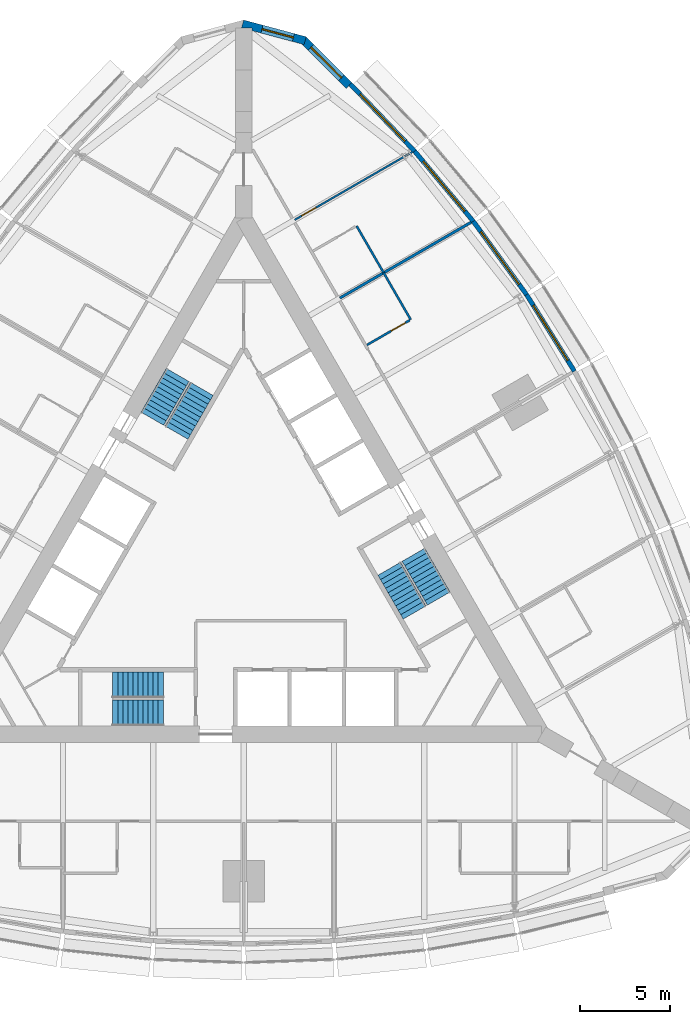
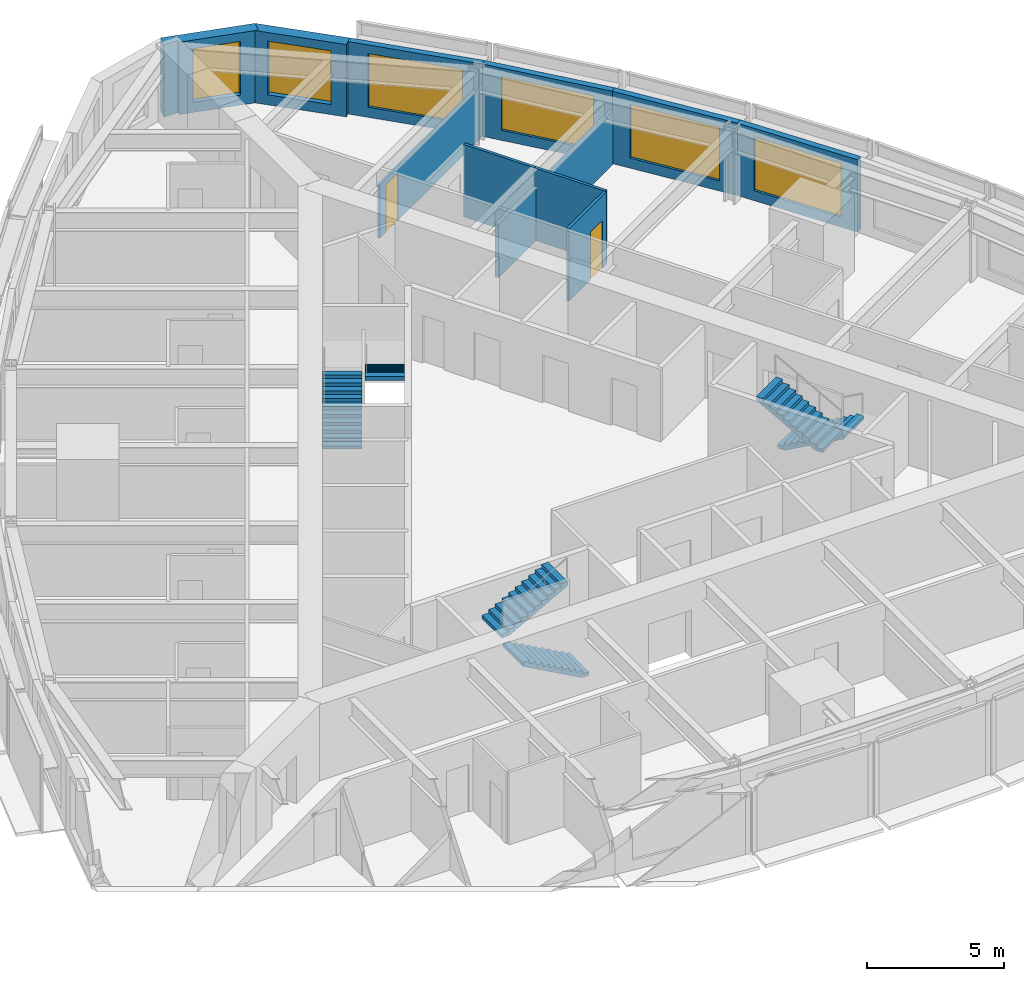
# One storey, part 13 of 14: 11 walls, 6 stair flights, 6 windows, 2 doors, 8 openings, 3 elements without a shape of their own.
"""IFC4 building model written with IfcOpenShell, lengths in metres."""

from ifc_helpers import new_model, si_unit, direction, frame, frame_2d, origin, place, context, subcontext, project, spatial, polyline, rectangle, outline, extrude, material, layer, layer_set, type_object, element, fill, aggregate, save


model = new_model("IFC4")

# Units and contexts
model_context = context("Model", 3, precision=1e-05, world=origin(), true_north=direction((0.0, 1.0)))
body_context = subcontext(model_context, "Body", "Model", "MODEL_VIEW")
ifc_project = project(units=[si_unit("LENGTHUNIT", "METRE"), si_unit("AREAUNIT", "SQUARE_METRE"), si_unit("VOLUMEUNIT", "CUBIC_METRE"), si_unit("PLANEANGLEUNIT", "RADIAN"), si_unit("MASSUNIT", "GRAM", prefix="KILO")], contexts=[model_context])

# Site, building, storey
site_placement = place(None, origin())
site = spatial("IfcSite", under=ifc_project, at=site_placement, CompositionType="ELEMENT")
building_placement = place(site_placement, origin())
building = spatial("IfcBuilding", under=site, at=building_placement, Name="Trikona Tower", CompositionType="ELEMENT")
storey_placement = place(building_placement, frame((0.0, 0.0, 175.89990234375)))
storey = spatial("IfcBuildingStorey", under=building, at=storey_placement, Name="L47", CompositionType="ELEMENT", Elevation=175.89990234375)

# Wall
ifc_material_1 = material(Name="Metal stud and cement board", Category="gypsum")
ifc_layer_1 = layer(ifc_material_1, 0.1201171875)
ifc_layer_set_1 = layer_set([ifc_layer_1], Name="Bathroom wall 120")
wall_type_1 = type_object("IfcWallType", Name="Bathroom wall 120", PredefinedType="PLUMBINGWALL", material=ifc_layer_set_1)
wall_1_placement = place(storey_placement, frame((9.25341796875, 13.42529296875, 0.0), z_axis=(0.0, 0.0, 1.0), x_axis=(-0.499990139034, 0.866031096941, 0.0)))
element("IfcWall", 1, at=wall_1_placement, inside=storey, type_object=wall_type_1, Name="Bathroom wall 4708", PredefinedType="PLUMBINGWALL", context=body_context, shape_type="SweptSolid", body=[
    extrude(rectangle(XDim=3.0, YDim=0.1201171875, at=frame_2d((1.5, 0.0))), origin(), (0.0, 0.0, 1.0), 3.235107421875),
])

# Wall, opening, door
wall_2_placement = place(storey_placement, frame((6.82861328125, 12.025390625, 0.0), z_axis=(0.0, 0.0, 1.0), x_axis=(0.866035715982, 0.499982138324, 0.0)))
wall_2 = element("IfcWall", 2, at=wall_2_placement, inside=storey, type_object=wall_type_1, Name="Bathroom wall 4708", PredefinedType="PLUMBINGWALL", context=body_context, shape_type="SweptSolid", body=[
    extrude(rectangle(XDim=2.73974609375, YDim=0.1201171875, at=frame_2d((1.369873046875, 0.0))), origin(), (0.0, 0.0, 1.0), 3.235107421875),
])
opening_1_placement = place(wall_2_placement, frame((1.550048828125, 0.0, 0.0)))
opening_1 = element("IfcOpeningElement", 3, at=opening_1_placement, cuts=wall_2, Name="Opening D2", PredefinedType="OPENING", context=body_context, shape_type="SweptSolid", body=[
    extrude(rectangle(XDim=0.89990234375, YDim=2.1298828125, at=frame_2d((0.449951171875, 1.06494140625))), frame((0.0, 0.070068359375, 0.0), z_axis=(0.0, -1.0, 0.0), x_axis=(1.0, 0.0, 0.0)), (0.0, 0.0, 1.0), 0.14013671875),
])
ifc_material_2 = material(Name="Steel door frame with solid-core timber leaf", Category="steel")
door_type_1 = type_object("IfcDoorType", Name="Bathroom door 900x2130", OperationType="SLIDING_TO_LEFT", PredefinedType="DOOR", material=ifc_material_2)
door_1_placement = place(opening_1_placement, origin())
door_1 = element("IfcDoor", 4, at=door_1_placement, inside=storey, type_object=door_type_1, Name="Bathroom door 4708", OperationType="SLIDING_TO_LEFT", OverallHeight=2.1298828125, OverallWidth=0.89990234375, PredefinedType="DOOR", context=body_context, shape_type="SweptSolid", body=[
    extrude(rectangle(XDim=0.89990234375, YDim=2.1298828125, at=frame_2d((0.449951171875, 1.06494140625))), frame((0.0, 0.02490234375, 0.0), z_axis=(0.0, -1.0, 0.0), x_axis=(1.0, 0.0, 0.0)), (0.0, 0.0, 1.0), 0.050048828125),
])
fill(opening_1, door_1)

# Wall
wall_3_placement = place(storey_placement, frame((7.75341796875, 16.0234375, 0.0), z_axis=(0.0, 0.0, 1.0), x_axis=(-0.499990139034, 0.866031096941, 0.0)))
element("IfcWall", 5, at=wall_3_placement, inside=storey, type_object=wall_type_1, Name="Bathroom wall 4709.1", PredefinedType="PLUMBINGWALL", context=body_context, shape_type="SweptSolid", body=[
    extrude(rectangle(XDim=3.0, YDim=0.1201171875, at=frame_2d((1.5, 0.0))), origin(), (0.0, 0.0, 1.0), 3.235107421875),
])

# Wall, opening, window
ifc_material_3 = material(Name="Brick-faced precast concrete", Category="masonry")
ifc_layer_2 = layer(ifc_material_3, 0.449951171875)
ifc_layer_set_2 = layer_set([ifc_layer_2], Name="Brick-faced corner wall 450")
wall_type_2 = type_object("IfcWallType", Name="Brick-faced corner wall 450", PredefinedType="SOLIDWALL", material=ifc_layer_set_2)
wall_4_placement = place(storey_placement, frame((5.8408203125, 26.39892578125, 0.0), z_axis=(0.0, 0.0, 1.0), x_axis=(-0.707106781187, 0.707106781187, 0.0)))
wall_4 = element("IfcWall", 6, at=wall_4_placement, inside=storey, type_object=wall_type_2, Name="External wall L47-20", PredefinedType="SOLIDWALL", context=body_context, shape_type="SweptSolid", body=[
    extrude(rectangle(XDim=3.586181640625, YDim=0.449951171875, at=frame_2d((1.79296875, 0.0))), origin(), (0.0, 0.0, 1.0), 3.235107421875),
])
opening_2_placement = place(wall_4_placement, frame((0.59326171875, 0.0, 0.449951171875)))
opening_2 = element("IfcOpeningElement", 7, at=opening_2_placement, cuts=wall_4, Name="Opening W2424", PredefinedType="OPENING", context=body_context, shape_type="SweptSolid", body=[
    extrude(rectangle(XDim=2.39990234375, YDim=2.39990234375, at=frame_2d((1.199951171875, 1.199951171875))), frame((0.0, 0.23486328125, 0.0), z_axis=(0.0, -1.0, 0.0), x_axis=(1.0, 0.0, 0.0)), (0.0, 0.0, 1.0), 0.469970703125),
])
ifc_material_4 = material(Name="Aluminium-framed double glazing", Category="aluminium")
window_type_1 = type_object("IfcWindowType", Name="Window 2400x2400", PartitioningType="SINGLE_PANEL", PredefinedType="WINDOW", material=ifc_material_4)
window_1_placement = place(opening_2_placement, origin())
window_1 = element("IfcWindow", 8, at=window_1_placement, inside=storey, type_object=window_type_1, Name="Window 4709", OverallHeight=2.39990234375, OverallWidth=2.39990234375, PartitioningType="SINGLE_PANEL", PredefinedType="WINDOW", context=body_context, shape_type="SweptSolid", body=[
    extrude(rectangle(XDim=2.39990234375, YDim=2.39990234375, at=frame_2d((1.199951171875, 1.199951171875))), frame((0.0, 0.030029296875, 0.0), z_axis=(0.0, -1.0, 0.0), x_axis=(1.0, 0.0, 0.0)), (0.0, 0.0, 1.0), 0.06005859375),
])
fill(opening_2, window_1)

wall_5_placement = place(storey_placement, frame((3.406005859375, 28.876708984375, 0.0), z_axis=(0.0, 0.0, 1.0), x_axis=(-0.965924653531, 0.258823421857, 0.0)))
wall_5 = element("IfcWall", 9, at=wall_5_placement, inside=storey, type_object=wall_type_2, Name="External wall L47-21", PredefinedType="SOLIDWALL", context=body_context, shape_type="SweptSolid", body=[
    extrude(outline(polyline([(3.58642578125, 0.22509765625), (3.526611328125, 0.22509765625), (3.035400390625, 0.09326171875), (3.0, 0.22509765625), (0.0, 0.22509765625), (0.0, -0.22509765625), (3.58642578125, -0.22509765625), (3.58642578125, 0.22509765625)])), origin(), (0.0, 0.0, 1.0), 3.235107421875),
])
opening_3_placement = place(wall_5_placement, frame((0.6748046875, 0.0, 0.449951171875)))
opening_3 = element("IfcOpeningElement", 10, at=opening_3_placement, cuts=wall_5, Name="Opening W1824", PredefinedType="OPENING", context=body_context, shape_type="SweptSolid", body=[
    extrude(rectangle(XDim=1.800048828125, YDim=2.39990234375, at=frame_2d((0.89990234375, 1.199951171875))), frame((0.0, 0.23486328125, 0.0), z_axis=(0.0, -1.0, 0.0), x_axis=(1.0, 0.0, 0.0)), (0.0, 0.0, 1.0), 0.469970703125),
])
ifc_material_5 = material(Name="Aluminium-framed double glazing", Category="aluminium")
window_type_2 = type_object("IfcWindowType", Name="Window 1800x2400", PartitioningType="SINGLE_PANEL", PredefinedType="WINDOW", material=ifc_material_5)
window_2_placement = place(opening_3_placement, origin())
window_2 = element("IfcWindow", 11, at=window_2_placement, inside=storey, type_object=window_type_2, Name="Window 4709", OverallHeight=2.39990234375, OverallWidth=1.800048828125, PartitioningType="SINGLE_PANEL", PredefinedType="WINDOW", context=body_context, shape_type="SweptSolid", body=[
    extrude(rectangle(XDim=1.800048828125, YDim=2.39990234375, at=frame_2d((0.89990234375, 1.199951171875))), frame((0.0, 0.030029296875, 0.0), z_axis=(0.0, -1.0, 0.0), x_axis=(1.0, 0.0, 0.0)), (0.0, 0.0, 1.0), 0.06005859375),
])
fill(opening_3, window_2)

ifc_material_6 = material(Name="Insulated precast concrete spandrel panel", Category="concrete")
ifc_layer_3 = layer(ifc_material_6, 0.25)
ifc_layer_set_3 = layer_set([ifc_layer_3], Name="Inner skin wall 250")
wall_type_3 = type_object("IfcWallType", Name="Inner skin wall 250", PredefinedType="STANDARD", material=ifc_layer_set_3)
wall_6_placement = place(storey_placement, frame((18.31884765625, 10.5712890625, 0.0), z_axis=(0.0, 0.0, 1.0), x_axis=(-0.529990167382, 0.84800378683, 0.0)))
wall_6 = element("IfcWall", 12, at=wall_6_placement, inside=storey, type_object=wall_type_3, Name="External wall L47-16", PredefinedType="STANDARD", context=body_context, shape_type="SweptSolid", body=[
    extrude(rectangle(XDim=5.003173828125, YDim=0.25, at=frame_2d((2.50146484375, 0.0))), origin(), (0.0, 0.0, 1.0), 3.235107421875),
])
opening_4_placement = place(wall_6_placement, frame((0.701416015625, 0.0, 0.449951171875)))
opening_4 = element("IfcOpeningElement", 13, at=opening_4_placement, cuts=wall_6, Name="Opening W3624", PredefinedType="OPENING", context=body_context, shape_type="SweptSolid", body=[
    extrude(rectangle(XDim=3.60009765625, YDim=2.39990234375, at=frame_2d((1.800048828125, 1.199951171875))), frame((0.0, 0.135009765625, 0.0), z_axis=(0.0, -1.0, 0.0), x_axis=(1.0, 0.0, 0.0)), (0.0, 0.0, 1.0), 0.27001953125),
])
ifc_material_7 = material(Name="Aluminium-framed double glazing", Category="aluminium")
window_type_3 = type_object("IfcWindowType", Name="Window 3600x2400", PartitioningType="SINGLE_PANEL", PredefinedType="WINDOW", material=ifc_material_7)
window_3_placement = place(opening_4_placement, origin())
window_3 = element("IfcWindow", 14, at=window_3_placement, inside=storey, type_object=window_type_3, Name="Window 4708", OverallHeight=2.39990234375, OverallWidth=3.60009765625, PartitioningType="SINGLE_PANEL", PredefinedType="WINDOW", context=body_context, shape_type="SweptSolid", body=[
    extrude(rectangle(XDim=3.60009765625, YDim=2.39990234375, at=frame_2d((1.800048828125, 1.199951171875))), frame((0.0, 0.030029296875, 0.0), z_axis=(0.0, -1.0, 0.0), x_axis=(1.0, 0.0, 0.0)), (0.0, 0.0, 1.0), 0.06005859375),
])
fill(opening_4, window_3)

wall_7_placement = place(storey_placement, frame((15.672119140625, 14.806640625, 0.0), z_axis=(0.0, 0.0, 1.0), x_axis=(-0.587669188412, 0.809101307001, 0.0)))
wall_7 = element("IfcWall", 15, at=wall_7_placement, inside=storey, type_object=wall_type_3, Name="External wall L47-17", PredefinedType="STANDARD", context=body_context, shape_type="SweptSolid", body=[
    extrude(rectangle(XDim=5.027587890625, YDim=0.25, at=frame_2d((2.513671875, 0.0))), origin(), (0.0, 0.0, 1.0), 3.235107421875),
])
opening_5_placement = place(wall_7_placement, frame((0.7138671875, 0.0, 0.449951171875)))
opening_5 = element("IfcOpeningElement", 16, at=opening_5_placement, cuts=wall_7, Name="Opening W3624", PredefinedType="OPENING", context=body_context, shape_type="SweptSolid", body=[
    extrude(rectangle(XDim=3.60009765625, YDim=2.39990234375, at=frame_2d((1.800048828125, 1.199951171875))), frame((0.0, 0.135009765625, 0.0), z_axis=(0.0, -1.0, 0.0), x_axis=(1.0, 0.0, 0.0)), (0.0, 0.0, 1.0), 0.27001953125),
])
window_4_placement = place(opening_5_placement, origin())
window_4 = element("IfcWindow", 17, at=window_4_placement, inside=storey, type_object=window_type_3, Name="Window 4708", OverallHeight=2.39990234375, OverallWidth=3.60009765625, PartitioningType="SINGLE_PANEL", PredefinedType="WINDOW", context=body_context, shape_type="SweptSolid", body=[
    extrude(rectangle(XDim=3.60009765625, YDim=2.39990234375, at=frame_2d((1.800048828125, 1.199951171875))), frame((0.0, 0.030029296875, 0.0), z_axis=(0.0, -1.0, 0.0), x_axis=(1.0, 0.0, 0.0)), (0.0, 0.0, 1.0), 0.06005859375),
])
fill(opening_5, window_4)

wall_8_placement = place(storey_placement, frame((12.722900390625, 18.86767578125, 0.0), z_axis=(0.0, 0.0, 1.0), x_axis=(-0.641810386606, 0.766863369607, 0.0)))
wall_8 = element("IfcWall", 18, at=wall_8_placement, inside=storey, type_object=wall_type_3, Name="External wall L47-18", PredefinedType="STANDARD", context=body_context, shape_type="SweptSolid", body=[
    extrude(rectangle(XDim=5.075927734375, YDim=0.25, at=frame_2d((2.5380859375, 0.0))), origin(), (0.0, 0.0, 1.0), 3.235107421875),
])
opening_6_placement = place(wall_8_placement, frame((0.738037109375, 0.0, 0.449951171875)))
opening_6 = element("IfcOpeningElement", 19, at=opening_6_placement, cuts=wall_8, Name="Opening W3624", PredefinedType="OPENING", context=body_context, shape_type="SweptSolid", body=[
    extrude(rectangle(XDim=3.60009765625, YDim=2.39990234375, at=frame_2d((1.800048828125, 1.199951171875))), frame((0.0, 0.135009765625, 0.0), z_axis=(0.0, -1.0, 0.0), x_axis=(1.0, 0.0, 0.0)), (0.0, 0.0, 1.0), 0.27001953125),
])
window_5_placement = place(opening_6_placement, origin())
window_5 = element("IfcWindow", 20, at=window_5_placement, inside=storey, type_object=window_type_3, Name="Window 4709.1", OverallHeight=2.39990234375, OverallWidth=3.60009765625, PartitioningType="SINGLE_PANEL", PredefinedType="WINDOW", context=body_context, shape_type="SweptSolid", body=[
    extrude(rectangle(XDim=3.60009765625, YDim=2.39990234375, at=frame_2d((1.800048828125, 1.199951171875))), frame((0.0, 0.030029296875, 0.0), z_axis=(0.0, -1.0, 0.0), x_axis=(1.0, 0.0, 0.0)), (0.0, 0.0, 1.0), 0.06005859375),
])
fill(opening_6, window_5)

wall_9_placement = place(storey_placement, frame((9.470703125, 22.75390625, 0.0), z_axis=(0.0, 0.0, 1.0), x_axis=(-0.691719937936, 0.722165858693, 0.0)))
wall_9 = element("IfcWall", 21, at=wall_9_placement, inside=storey, type_object=wall_type_3, Name="External wall L47-19", PredefinedType="STANDARD", context=body_context, shape_type="SweptSolid", body=[
    extrude(rectangle(XDim=5.148193359375, YDim=0.25, at=frame_2d((2.57421875, 0.0))), origin(), (0.0, 0.0, 1.0), 3.235107421875),
])
opening_7_placement = place(wall_9_placement, frame((0.77392578125, 0.0, 0.449951171875)))
opening_7 = element("IfcOpeningElement", 22, at=opening_7_placement, cuts=wall_9, Name="Opening W3624", PredefinedType="OPENING", context=body_context, shape_type="SweptSolid", body=[
    extrude(rectangle(XDim=3.60009765625, YDim=2.39990234375, at=frame_2d((1.800048828125, 1.199951171875))), frame((0.0, 0.135009765625, 0.0), z_axis=(0.0, -1.0, 0.0), x_axis=(1.0, 0.0, 0.0)), (0.0, 0.0, 1.0), 0.27001953125),
])
window_6_placement = place(opening_7_placement, origin())
window_6 = element("IfcWindow", 23, at=window_6_placement, inside=storey, type_object=window_type_3, Name="Window 4709", OverallHeight=2.39990234375, OverallWidth=3.60009765625, PartitioningType="SINGLE_PANEL", PredefinedType="WINDOW", context=body_context, shape_type="SweptSolid", body=[
    extrude(rectangle(XDim=3.60009765625, YDim=2.39990234375, at=frame_2d((1.800048828125, 1.199951171875))), frame((0.0, 0.030029296875, 0.0), z_axis=(0.0, -1.0, 0.0), x_axis=(1.0, 0.0, 0.0)), (0.0, 0.0, 1.0), 0.06005859375),
])
fill(opening_7, window_6)

# Wall
ifc_material_8 = material(Name="Metal stud and gypsum board, 1-hour acoustic", Category="gypsum")
ifc_layer_4 = layer(ifc_material_8, 0.14990234375)
ifc_layer_set_4 = layer_set([ifc_layer_4], Name="Party wall 150")
wall_type_4 = type_object("IfcWallType", Name="Party wall 150", PredefinedType="PARTITIONING", material=ifc_layer_set_4)
wall_10_placement = place(storey_placement, frame((5.32861328125, 14.623291015625, 0.0), z_axis=(0.0, 0.0, 1.0), x_axis=(0.866011723728, 0.500023693804, 0.0)))
element("IfcWall", 24, at=wall_10_placement, inside=storey, type_object=wall_type_4, Name="Partition L47 F2 u10", PredefinedType="PARTITIONING", context=body_context, shape_type="SweptSolid", body=[
    extrude(rectangle(XDim=8.39501953125, YDim=0.14990234375, at=frame_2d((4.197509765625, 0.0))), origin(), (0.0, 0.0, 1.0), 2.389404296875),
])

# Wall, opening, door
ifc_material_9 = material(Name="Metal stud and gypsum board, acoustic", Category="gypsum")
ifc_layer_5 = layer(ifc_material_9, 0.10009765625)
ifc_layer_set_5 = layer_set([ifc_layer_5], Name="Suite partition 100")
wall_type_5 = type_object("IfcWallType", Name="Suite partition 100", PredefinedType="PARTITIONING", material=ifc_layer_set_5)
wall_11_placement = place(storey_placement, frame((2.82861328125, 18.95361328125, 0.0), z_axis=(0.0, 0.0, 1.0), x_axis=(0.866015739374, 0.500016738876, 0.0)))
wall_11 = element("IfcWall", 25, at=wall_11_placement, inside=storey, type_object=wall_type_5, Name="Suite partition L47 F2 u15", PredefinedType="PARTITIONING", context=body_context, shape_type="SweptSolid", body=[
    extrude(rectangle(XDim=7.516357421875, YDim=0.10009765625, at=frame_2d((3.75830078125, 0.0))), origin(), (0.0, 0.0, 1.0), 2.389404296875),
])
opening_8_placement = place(wall_11_placement, frame((0.449951171875, 0.0, 0.0)))
opening_8 = element("IfcOpeningElement", 26, at=opening_8_placement, cuts=wall_11, Name="Opening D13", PredefinedType="OPENING", context=body_context, shape_type="SweptSolid", body=[
    extrude(rectangle(XDim=0.89990234375, YDim=2.1298828125, at=frame_2d((0.449951171875, 1.06494140625))), frame((0.0, 0.06005859375, 0.0), z_axis=(0.0, -1.0, 0.0), x_axis=(1.0, 0.0, 0.0)), (0.0, 0.0, 1.0), 0.1201171875),
])
ifc_material_10 = material(Name="Steel door frame with solid-core timber leaf", Category="steel")
door_type_2 = type_object("IfcDoorType", Name="Suite door 900x2130", OperationType="SINGLE_SWING_LEFT", PredefinedType="DOOR", material=ifc_material_10)
door_2_placement = place(opening_8_placement, origin())
door_2 = element("IfcDoor", 27, at=door_2_placement, inside=storey, type_object=door_type_2, Name="Suite door 4709", OperationType="SINGLE_SWING_LEFT", OverallHeight=2.1298828125, OverallWidth=0.89990234375, PredefinedType="DOOR", context=body_context, shape_type="SweptSolid", body=[
    extrude(rectangle(XDim=0.89990234375, YDim=2.1298828125, at=frame_2d((0.449951171875, 1.06494140625))), frame((0.0, 0.02490234375, 0.0), z_axis=(0.0, -1.0, 0.0), x_axis=(1.0, 0.0, 0.0)), (0.0, 0.0, 1.0), 0.050048828125),
])
fill(opening_8, door_2)

# Stair, stair flights
ifc_material_11 = material(Name="Concrete f'c 5000 psi", Category="concrete")
stair_type = type_object("IfcStairType", Name="Core stair", PredefinedType="HALF_TURN_STAIR", material=ifc_material_11)
stair_1_placement = place(storey_placement, origin())
stair_1 = element("IfcStair", 28, at=stair_1_placement, inside=storey, type_object=stair_type, Name="Stair A L47", PredefinedType="HALF_TURN_STAIR")
ifc_material_12 = material(Name="Concrete f'c 5000 psi", Category="concrete")
stair_flight_type = type_object("IfcStairFlightType", Name="Core stair flight 1450", PredefinedType="STRAIGHT", material=ifc_material_12)
stair_flight_1_placement = place(storey_placement, frame((-4.449951171875, -8.351318359375, 0.0), z_axis=(0.0, 0.0, 1.0), x_axis=(-1.0, 0.0, 0.0)))
stair_flight_1 = element("IfcStairFlight", 29, at=stair_flight_1_placement, type_object=stair_flight_type, Name="ST-A flight 1", NumberOfRisers=11, NumberOfTreads=10, PredefinedType="STRAIGHT", RiserHeight=0.154545, TreadLength=0.28, context=body_context, shape_type="SweptSolid", body=[
    extrude(outline(polyline([(0.0, 0.0), (0.0, 0.154541015625), (0.280029296875, 0.154541015625), (0.280029296875, 0.30908203125), (0.56005859375, 0.30908203125), (0.56005859375, 0.463623046875), (0.840087890625, 0.463623046875), (0.840087890625, 0.6181640625), (1.1201171875, 0.6181640625), (1.1201171875, 0.772705078125), (1.39990234375, 0.772705078125), (1.39990234375, 0.92724609375), (1.679931640625, 0.92724609375), (1.679931640625, 1.081787109375), (1.9599609375, 1.081787109375), (1.9599609375, 1.236328125), (2.239990234375, 1.236328125), (2.239990234375, 1.390869140625), (2.52001953125, 1.390869140625), (2.52001953125, 1.54541015625), (2.800048828125, 1.54541015625), (2.800048828125, 1.699951171875), (2.800048828125, 1.374267578125), (0.310302734375, 0.0), (0.0, 0.0)])), frame((0.0, 0.72509765625, 0.0), z_axis=(0.0, -1.0, 0.0), x_axis=(1.0, 0.0, 0.0)), (0.0, 0.0, 1.0), 1.449951171875),
])
stair_flight_2_placement = place(storey_placement, frame((-7.25, -6.80126953125, 1.7001953125), z_axis=(0.0, 0.0, 1.0), x_axis=(1.0, 0.0, 0.0)))
stair_flight_2 = element("IfcStairFlight", 30, at=stair_flight_2_placement, type_object=stair_flight_type, Name="ST-A flight 2", NumberOfRisers=11, NumberOfTreads=10, PredefinedType="STRAIGHT", RiserHeight=0.154545, TreadLength=0.28, context=body_context, shape_type="SweptSolid", body=[
    extrude(outline(polyline([(0.0, 0.0), (0.0, 0.154541015625), (0.280029296875, 0.154541015625), (0.280029296875, 0.30908203125), (0.56005859375, 0.30908203125), (0.56005859375, 0.463623046875), (0.840087890625, 0.463623046875), (0.840087890625, 0.6181640625), (1.1201171875, 0.6181640625), (1.1201171875, 0.772705078125), (1.39990234375, 0.772705078125), (1.39990234375, 0.92724609375), (1.679931640625, 0.92724609375), (1.679931640625, 1.081787109375), (1.9599609375, 1.081787109375), (1.9599609375, 1.236328125), (2.239990234375, 1.236328125), (2.239990234375, 1.390869140625), (2.52001953125, 1.390869140625), (2.52001953125, 1.54541015625), (2.800048828125, 1.54541015625), (2.800048828125, 1.699951171875), (2.800048828125, 1.374267578125), (0.310302734375, 0.0), (0.0, 0.0)])), frame((0.0, 0.72509765625, 0.0), z_axis=(0.0, -1.0, 0.0), x_axis=(1.0, 0.0, 0.0)), (0.0, 0.0, 1.0), 1.449951171875),
])
aggregate(stair_1, [stair_flight_1, stair_flight_2])

stair_2_placement = place(storey_placement, origin())
stair_2 = element("IfcStair", 31, at=stair_2_placement, inside=storey, type_object=stair_type, Name="Stair B L47", PredefinedType="HALF_TURN_STAIR")
stair_flight_3_placement = place(storey_placement, frame((9.407470703125, 0.408447265625, 0.0), z_axis=(0.0, 0.0, 1.0), x_axis=(0.5, -0.866025403784, 0.0)))
stair_flight_3 = element("IfcStairFlight", 32, at=stair_flight_3_placement, type_object=stair_flight_type, Name="ST-B flight 1", NumberOfRisers=11, NumberOfTreads=10, PredefinedType="STRAIGHT", RiserHeight=0.154545, TreadLength=0.28, context=body_context, shape_type="SweptSolid", body=[
    extrude(outline(polyline([(0.0, 0.0), (0.0, 0.154541015625), (0.280029296875, 0.154541015625), (0.280029296875, 0.30908203125), (0.56005859375, 0.30908203125), (0.56005859375, 0.463623046875), (0.840087890625, 0.463623046875), (0.840087890625, 0.6181640625), (1.1201171875, 0.6181640625), (1.1201171875, 0.772705078125), (1.39990234375, 0.772705078125), (1.39990234375, 0.92724609375), (1.679931640625, 0.92724609375), (1.679931640625, 1.081787109375), (1.9599609375, 1.081787109375), (1.9599609375, 1.236328125), (2.239990234375, 1.236328125), (2.239990234375, 1.390869140625), (2.52001953125, 1.390869140625), (2.52001953125, 1.54541015625), (2.800048828125, 1.54541015625), (2.800048828125, 1.699951171875), (2.800048828125, 1.374267578125), (0.310302734375, 0.0), (0.0, 0.0)])), frame((0.0, 0.72509765625, 0.0), z_axis=(0.0, -1.0, 0.0), x_axis=(1.0, 0.0, 0.0)), (0.0, 0.0, 1.0), 1.449951171875),
])
stair_flight_4_placement = place(storey_placement, frame((9.465087890625, -2.79150390625, 1.7001953125), z_axis=(0.0, 0.0, 1.0), x_axis=(-0.5, 0.866025403784, 0.0)))
stair_flight_4 = element("IfcStairFlight", 33, at=stair_flight_4_placement, type_object=stair_flight_type, Name="ST-B flight 2", NumberOfRisers=11, NumberOfTreads=10, PredefinedType="STRAIGHT", RiserHeight=0.154545, TreadLength=0.28, context=body_context, shape_type="SweptSolid", body=[
    extrude(outline(polyline([(0.0, 0.0), (0.0, 0.154541015625), (0.280029296875, 0.154541015625), (0.280029296875, 0.30908203125), (0.56005859375, 0.30908203125), (0.56005859375, 0.463623046875), (0.840087890625, 0.463623046875), (0.840087890625, 0.6181640625), (1.1201171875, 0.6181640625), (1.1201171875, 0.772705078125), (1.39990234375, 0.772705078125), (1.39990234375, 0.92724609375), (1.679931640625, 0.92724609375), (1.679931640625, 1.081787109375), (1.9599609375, 1.081787109375), (1.9599609375, 1.236328125), (2.239990234375, 1.236328125), (2.239990234375, 1.390869140625), (2.52001953125, 1.390869140625), (2.52001953125, 1.54541015625), (2.800048828125, 1.54541015625), (2.800048828125, 1.699951171875), (2.800048828125, 1.374267578125), (0.310302734375, 0.0), (0.0, 0.0)])), frame((0.0, 0.72509765625, 0.0), z_axis=(0.0, -1.0, 0.0), x_axis=(1.0, 0.0, 0.0)), (0.0, 0.0, 1.0), 1.449951171875),
])
aggregate(stair_2, [stair_flight_3, stair_flight_4])

stair_3_placement = place(storey_placement, origin())
stair_3 = element("IfcStair", 34, at=stair_3_placement, inside=storey, type_object=stair_type, Name="Stair C L47", PredefinedType="HALF_TURN_STAIR")
stair_flight_5_placement = place(storey_placement, frame((-5.057373046875, 7.94287109375, 0.0), z_axis=(0.0, 0.0, 1.0), x_axis=(0.5, 0.866025403784, 0.0)))
stair_flight_5 = element("IfcStairFlight", 35, at=stair_flight_5_placement, type_object=stair_flight_type, Name="ST-C flight 1", NumberOfRisers=11, NumberOfTreads=10, PredefinedType="STRAIGHT", RiserHeight=0.154545, TreadLength=0.28, context=body_context, shape_type="SweptSolid", body=[
    extrude(outline(polyline([(0.0, 0.0), (0.0, 0.154541015625), (0.280029296875, 0.154541015625), (0.280029296875, 0.30908203125), (0.56005859375, 0.30908203125), (0.56005859375, 0.463623046875), (0.840087890625, 0.463623046875), (0.840087890625, 0.6181640625), (1.1201171875, 0.6181640625), (1.1201171875, 0.772705078125), (1.39990234375, 0.772705078125), (1.39990234375, 0.92724609375), (1.679931640625, 0.92724609375), (1.679931640625, 1.081787109375), (1.9599609375, 1.081787109375), (1.9599609375, 1.236328125), (2.239990234375, 1.236328125), (2.239990234375, 1.390869140625), (2.52001953125, 1.390869140625), (2.52001953125, 1.54541015625), (2.800048828125, 1.54541015625), (2.800048828125, 1.699951171875), (2.800048828125, 1.374267578125), (0.310302734375, 0.0), (0.0, 0.0)])), frame((0.0, 0.72509765625, 0.0), z_axis=(0.0, -1.0, 0.0), x_axis=(1.0, 0.0, 0.0)), (0.0, 0.0, 1.0), 1.449951171875),
])
stair_flight_6_placement = place(storey_placement, frame((-2.315185546875, 9.5927734375, 1.7001953125), z_axis=(0.0, 0.0, 1.0), x_axis=(-0.5, -0.866025403784, 0.0)))
stair_flight_6 = element("IfcStairFlight", 36, at=stair_flight_6_placement, type_object=stair_flight_type, Name="ST-C flight 2", NumberOfRisers=11, NumberOfTreads=10, PredefinedType="STRAIGHT", RiserHeight=0.154545, TreadLength=0.28, context=body_context, shape_type="SweptSolid", body=[
    extrude(outline(polyline([(0.0, 0.0), (0.0, 0.154541015625), (0.280029296875, 0.154541015625), (0.280029296875, 0.30908203125), (0.56005859375, 0.30908203125), (0.56005859375, 0.463623046875), (0.840087890625, 0.463623046875), (0.840087890625, 0.6181640625), (1.1201171875, 0.6181640625), (1.1201171875, 0.772705078125), (1.39990234375, 0.772705078125), (1.39990234375, 0.92724609375), (1.679931640625, 0.92724609375), (1.679931640625, 1.081787109375), (1.9599609375, 1.081787109375), (1.9599609375, 1.236328125), (2.239990234375, 1.236328125), (2.239990234375, 1.390869140625), (2.52001953125, 1.390869140625), (2.52001953125, 1.54541015625), (2.800048828125, 1.54541015625), (2.800048828125, 1.699951171875), (2.800048828125, 1.374267578125), (0.310302734375, 0.0), (0.0, 0.0)])), frame((0.0, 0.72509765625, 0.0), z_axis=(0.0, -1.0, 0.0), x_axis=(1.0, 0.0, 0.0)), (0.0, 0.0, 1.0), 1.449951171875),
])
aggregate(stair_3, [stair_flight_5, stair_flight_6])

save(model, "model.ifc")
